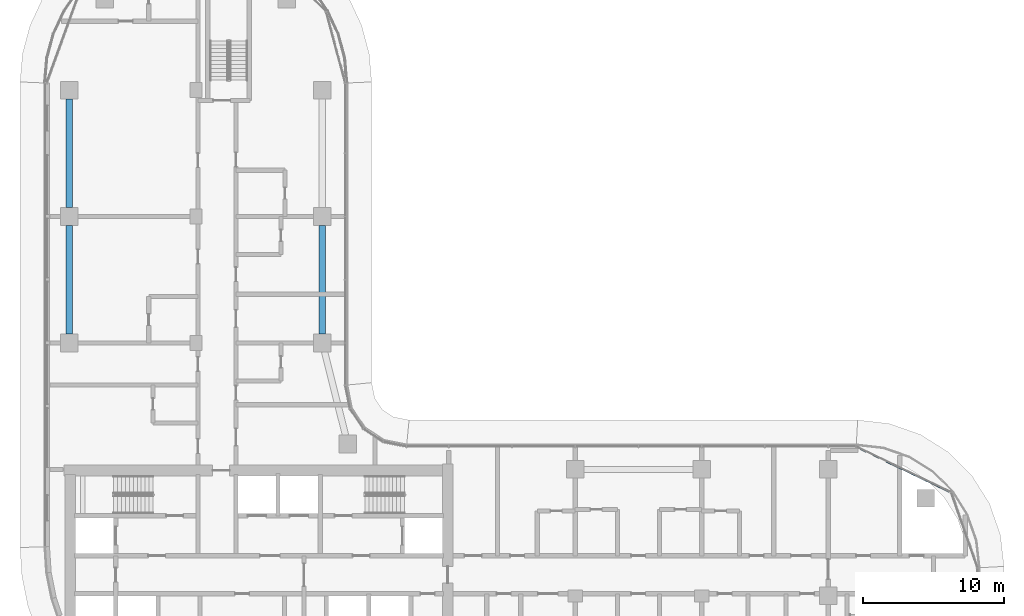
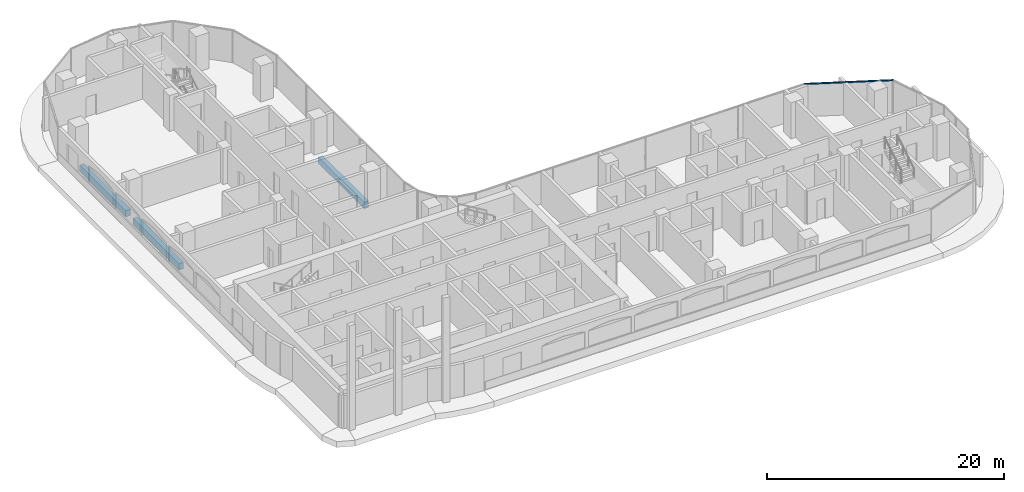
# One storey, part 5 of 25: 3 beams, 1 member, 1 element without a shape of its own.
"""IFC4 building model written with IfcOpenShell, lengths in metres."""

from ifc_helpers import new_model, si_unit, direction, frame, origin, origin_2d, place, context, subcontext, project, spatial, rectangle, extrude, material, material_profile, profile_set, type_object, element, aggregate, save


model = new_model("IFC4")

# Units and contexts
model_context = context("Model", 3, precision=1e-05, world=origin(), true_north=direction((0.0, 1.0)))
body_context = subcontext(model_context, "Body", "Model", "MODEL_VIEW")
ifc_project = project(units=[si_unit("LENGTHUNIT", "METRE"), si_unit("AREAUNIT", "SQUARE_METRE"), si_unit("VOLUMEUNIT", "CUBIC_METRE"), si_unit("PLANEANGLEUNIT", "RADIAN"), si_unit("MASSUNIT", "GRAM", prefix="KILO")], contexts=[model_context])

# Site, building, storey
site_placement = place(None, origin())
site = spatial("IfcSite", under=ifc_project, at=site_placement, CompositionType="ELEMENT")
building_placement = place(site_placement, origin())
building = spatial("IfcBuilding", under=site, at=building_placement, Name="Ogive Portal Towers", CompositionType="ELEMENT")
storey_placement = place(building_placement, frame((0.0, 0.0, 124.10009765625)))
storey = spatial("IfcBuildingStorey", under=building, at=storey_placement, Name="L30", CompositionType="ELEMENT", Elevation=124.10009765625)

# Curtain wall, member
ifc_material_1 = material(Name="Glass, clear low-iron insulated glazing", Category="glass")
curtain_wall_type = type_object("IfcCurtainWallType", Name="CW FRONT RIBBON 4500", PredefinedType="NOTDEFINED", material=ifc_material_1)
curtain_wall_placement = place(storey_placement, origin())
curtain_wall = element("IfcCurtainWall", 1, at=curtain_wall_placement, inside=storey, type_object=curtain_wall_type, Name="A:L30:f11:cwa", PredefinedType="NOTDEFINED")
ifc_material_2 = material(Name="Aluminium 6063 anodised", Category="aluminium")
ifc_material_profile_1 = material_profile(ifc_material_2, rectangle(XDim=0.1201171875, YDim=0.06005859375, at=origin_2d()), Name="AL 120x60")
ifc_profile_set_1 = profile_set([ifc_material_profile_1], Name="Aluminium 6063 anodised")
member_type = type_object("IfcMemberType", Name="CW TRANSOM 60x120", PredefinedType="USERDEFINED", material=ifc_profile_set_1)
member_placement = place(storey_placement, frame((94.2490234375, 37.8759765625, 3.369873046875), z_axis=(-0.900965905554, 0.433889890445, 0.0), x_axis=(-0.433889890445, -0.900965905554, 0.0)))
member = element("IfcMember", 2, at=member_placement, type_object=member_type, Name="transom", ObjectType="TRANSOM", PredefinedType="USERDEFINED", context=body_context, shape_type="SweptSolid", body=[
    extrude(rectangle(XDim=0.1201171875, YDim=0.06005859375, at=origin_2d()), origin(), (0.0, 0.0, 1.0), 7.51123046875),
])
aggregate(curtain_wall, [member])

# Beams
ifc_material_3 = material(Name="Concrete C50/60", Category="concrete")
ifc_material_profile_2 = material_profile(ifc_material_3, rectangle(XDim=0.449951171875, YDim=0.64990234375, at=origin_2d()), Name="RC 450x650")
ifc_profile_set_2 = profile_set([ifc_material_profile_2], Name="Concrete C50/60")
beam_type = type_object("IfcBeamType", Name="SPANDREL BEAM RC 450x650", PredefinedType="BEAM", material=ifc_profile_set_2)
for number, where, z_axis, x_axis, name in (
    (3, (31.5, 49.125, -0.625), (0.0, 1.0, 0.0), (-1.0, 0.0, 0.0), "Spandrel beam L30"),
    (4, (31.5, 58.125, -0.625), (0.0, 1.0, 0.0), (-1.0, 0.0, 0.0), "Spandrel beam L30"),
    (5, (49.5, 56.875, -0.625), (0.0, -1.0, 0.0), (1.0, 0.0, 0.0), "Spandrel beam L30"),
):
    element("IfcBeam", number, at=place(storey_placement, frame(where, z_axis=z_axis, x_axis=x_axis)), inside=storey, type_object=beam_type, Name=name, PredefinedType="BEAM", context=body_context, shape_type="SweptSolid", body=[
        extrude(rectangle(XDim=0.449951171875, YDim=0.64990234375, at=origin_2d()), origin(), (0.0, 0.0, 1.0), 7.75),
    ])

save(model, "model.ifc")
